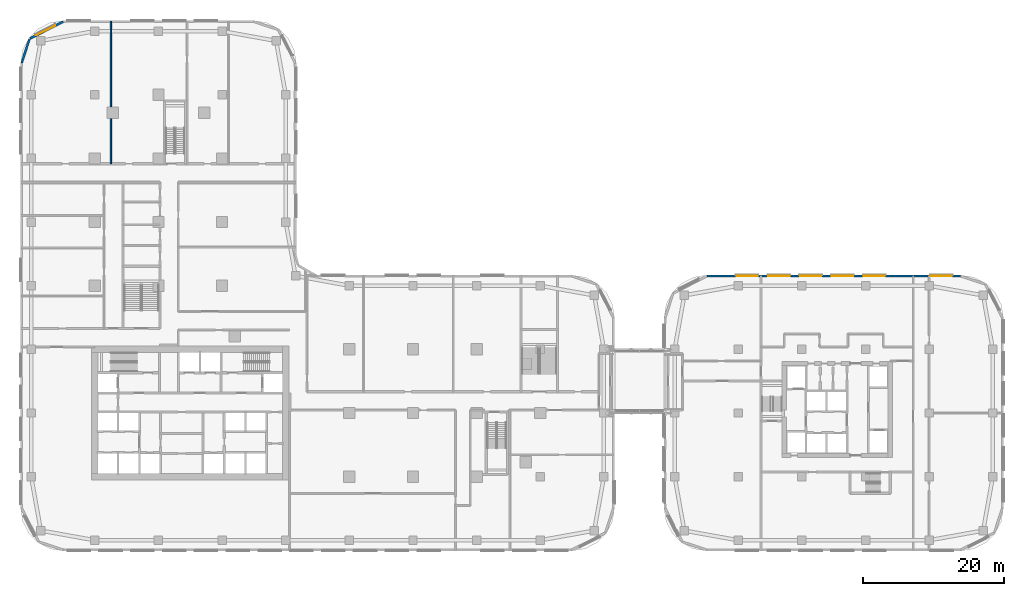
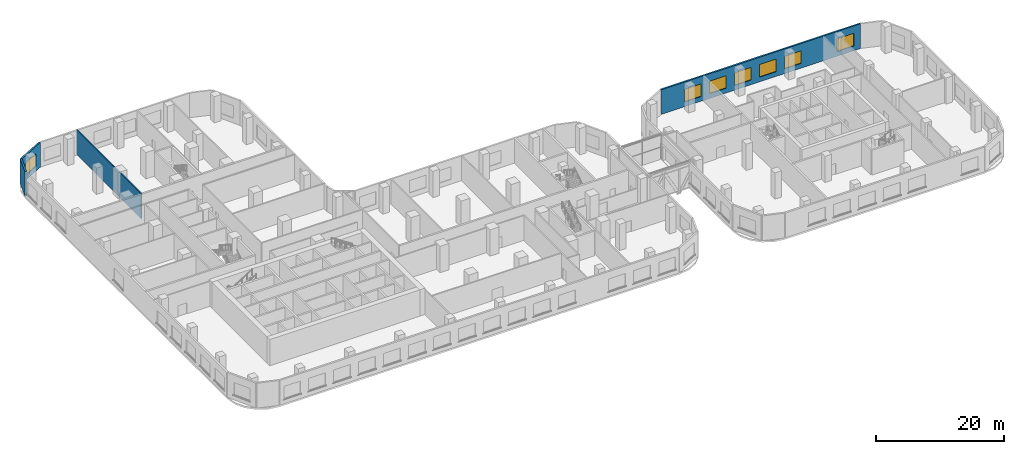
# One storey, part 14 of 35: 7 windows, 4 walls, 7 openings.
"""IFC4 building model written with IfcOpenShell, lengths in metres."""

from ifc_helpers import new_model, si_unit, direction, frame, frame_2d, origin, place, context, subcontext, project, spatial, rectangle, extrude, material, layer, layer_set, type_object, element, fill, save


model = new_model("IFC4")

# Units and contexts
model_context = context("Model", 3, precision=1e-05, world=origin(), true_north=direction((0.0, 1.0)))
body_context = subcontext(model_context, "Body", "Model", "MODEL_VIEW")
ifc_project = project(units=[si_unit("LENGTHUNIT", "METRE"), si_unit("AREAUNIT", "SQUARE_METRE"), si_unit("VOLUMEUNIT", "CUBIC_METRE"), si_unit("PLANEANGLEUNIT", "RADIAN"), si_unit("MASSUNIT", "GRAM", prefix="KILO")], contexts=[model_context])

# Site, building, storey
site_placement = place(None, origin())
site = spatial("IfcSite", under=ifc_project, at=site_placement, CompositionType="ELEMENT")
building_placement = place(site_placement, origin())
building = spatial("IfcBuilding", under=site, at=building_placement, Name="Ogive Portal Towers", CompositionType="ELEMENT")
storey_placement = place(building_placement, frame((0.0, 0.0, 23.5)))
storey = spatial("IfcBuildingStorey", under=building, at=storey_placement, Name="L04", CompositionType="ELEMENT", Elevation=23.5)

# Wall, opening, window
ifc_material_1 = material(Name="Limestone cladding on lightweight block wall", Category="masonry")
ifc_layer_1 = layer(ifc_material_1, 0.300048828125)
ifc_layer_set_1 = layer_set([ifc_layer_1], Name="EXTERNAL WALL 300 STONE")
wall_type_1 = type_object("IfcWallType", Name="EXTERNAL WALL 300 STONE", PredefinedType="SOLIDWALL", material=ifc_layer_set_1)
wall_1_placement = place(storey_placement, frame((27.00390625, 85.833740234375, 0.0), z_axis=(0.0, 0.0, 1.0), x_axis=(-0.890998339455, -0.454006562826, 0.0)))
wall_1 = element("IfcWall", 1, at=wall_1_placement, inside=storey, type_object=wall_type_1, Name="A:L04:f15:w0", PredefinedType="SOLIDWALL", context=body_context, shape_type="SweptSolid", body=[
    extrude(rectangle(XDim=5.251708984375, YDim=0.300048828125, at=frame_2d((2.6259765625, 0.0))), origin(), (0.0, 0.0, 1.0), 4.699951171875),
])
opening_1_placement = place(wall_1_placement, frame((1.223876953125, 0.0, 0.89990234375)))
opening_1 = element("IfcOpeningElement", 2, at=opening_1_placement, cuts=wall_1, Name="Opening WN3", PredefinedType="OPENING", context=body_context, shape_type="SweptSolid", body=[
    extrude(rectangle(XDim=3.0, YDim=2.39990234375, at=frame_2d((1.5, 1.199951171875))), frame((0.0, 0.16015625, 0.0), z_axis=(0.0, -1.0, 0.0), x_axis=(1.0, 0.0, 0.0)), (0.0, 0.0, 1.0), 0.320068359375),
])
ifc_material_2 = material(Name="Glass, clear low-iron insulated glazing", Category="glass")
window_type = type_object("IfcWindowType", Name="WINDOW PODIUM 3000x2400", PartitioningType="SINGLE_PANEL", PredefinedType="WINDOW", material=ifc_material_2)
window_1_placement = place(opening_1_placement, origin())
window_1 = element("IfcWindow", 3, at=window_1_placement, inside=storey, type_object=window_type, Name="A:L04:f15:w0:o0", OverallHeight=2.39990234375, OverallWidth=3.0, PartitioningType="SINGLE_PANEL", PredefinedType="WINDOW", context=body_context, shape_type="SweptSolid", body=[
    extrude(rectangle(XDim=3.0, YDim=2.39990234375, at=frame_2d((1.5, 1.199951171875))), frame((0.0, 0.030029296875, 0.0), z_axis=(0.0, -1.0, 0.0), x_axis=(1.0, 0.0, 0.0)), (0.0, 0.0, 1.0), 0.06005859375),
])
fill(opening_1, window_1)

# Wall
wall_2_placement = place(storey_placement, frame((22.250244140625, 83.362060546875, 0.0), z_axis=(0.0, 0.0, 1.0), x_axis=(-0.309073584194, -0.951038127287, 0.0)))
element("IfcWall", 4, at=wall_2_placement, inside=storey, type_object=wall_type_1, Name="A:L04:f16:w0", PredefinedType="SOLIDWALL", context=body_context, shape_type="SweptSolid", body=[
    extrude(rectangle(XDim=3.536376953125, YDim=0.300048828125, at=frame_2d((1.76806640625, 0.0))), origin(), (0.0, 0.0, 1.0), 4.699951171875),
])

# Wall, openings, windows
wall_3_placement = place(storey_placement, frame((153.952392578125, 49.85009765625, 0.0), z_axis=(0.0, 0.0, 1.0), x_axis=(-1.0, 0.0, 0.0)))
wall_3 = element("IfcWall", 5, at=wall_3_placement, inside=storey, type_object=wall_type_1, Name="B:L04:f08:w0", PredefinedType="SOLIDWALL", context=body_context, shape_type="SweptSolid", body=[
    extrude(rectangle(XDim=35.88037109375, YDim=0.300048828125, at=frame_2d((17.940185546875, 0.0))), origin(), (0.0, 0.0, 1.0), 4.699951171875),
])
opening_2_placement = place(wall_3_placement, frame((1.226318359375, 0.0, 0.89990234375)))
opening_2 = element("IfcOpeningElement", 6, at=opening_2_placement, cuts=wall_3, Name="Opening WN3", PredefinedType="OPENING", context=body_context, shape_type="SweptSolid", body=[
    extrude(rectangle(XDim=3.0, YDim=2.39990234375, at=frame_2d((1.5, 1.199951171875))), frame((0.0, 0.16015625, 0.0), z_axis=(0.0, -1.0, 0.0), x_axis=(1.0, 0.0, 0.0)), (0.0, 0.0, 1.0), 0.320068359375),
])
opening_3_placement = place(wall_3_placement, frame((10.702392578125, 0.0, 0.89990234375)))
opening_3 = element("IfcOpeningElement", 7, at=opening_3_placement, cuts=wall_3, Name="Opening WN3", PredefinedType="OPENING", context=body_context, shape_type="SweptSolid", body=[
    extrude(rectangle(XDim=3.0, YDim=2.39990234375, at=frame_2d((1.5, 1.199951171875))), frame((0.0, 0.16015625, 0.0), z_axis=(0.0, -1.0, 0.0), x_axis=(1.0, 0.0, 0.0)), (0.0, 0.0, 1.0), 0.320068359375),
])
opening_4_placement = place(wall_3_placement, frame((15.202392578125, 0.0, 0.89990234375)))
opening_4 = element("IfcOpeningElement", 8, at=opening_4_placement, cuts=wall_3, Name="Opening WN3", PredefinedType="OPENING", context=body_context, shape_type="SweptSolid", body=[
    extrude(rectangle(XDim=3.0, YDim=2.39990234375, at=frame_2d((1.5, 1.199951171875))), frame((0.0, 0.16015625, 0.0), z_axis=(0.0, -1.0, 0.0), x_axis=(1.0, 0.0, 0.0)), (0.0, 0.0, 1.0), 0.320068359375),
])
opening_5_placement = place(wall_3_placement, frame((19.702392578125, 0.0, 0.89990234375)))
opening_5 = element("IfcOpeningElement", 9, at=opening_5_placement, cuts=wall_3, Name="Opening WN3", PredefinedType="OPENING", context=body_context, shape_type="SweptSolid", body=[
    extrude(rectangle(XDim=3.0, YDim=2.39990234375, at=frame_2d((1.5, 1.199951171875))), frame((0.0, 0.16015625, 0.0), z_axis=(0.0, -1.0, 0.0), x_axis=(1.0, 0.0, 0.0)), (0.0, 0.0, 1.0), 0.320068359375),
])
opening_6_placement = place(wall_3_placement, frame((24.202392578125, 0.0, 0.89990234375)))
opening_6 = element("IfcOpeningElement", 10, at=opening_6_placement, cuts=wall_3, Name="Opening WN3", PredefinedType="OPENING", context=body_context, shape_type="SweptSolid", body=[
    extrude(rectangle(XDim=3.0, YDim=2.39990234375, at=frame_2d((1.5, 1.199951171875))), frame((0.0, 0.16015625, 0.0), z_axis=(0.0, -1.0, 0.0), x_axis=(1.0, 0.0, 0.0)), (0.0, 0.0, 1.0), 0.320068359375),
])
opening_7_placement = place(wall_3_placement, frame((28.702392578125, 0.0, 0.89990234375)))
opening_7 = element("IfcOpeningElement", 11, at=opening_7_placement, cuts=wall_3, Name="Opening WN3", PredefinedType="OPENING", context=body_context, shape_type="SweptSolid", body=[
    extrude(rectangle(XDim=3.0, YDim=2.39990234375, at=frame_2d((1.5, 1.199951171875))), frame((0.0, 0.16015625, 0.0), z_axis=(0.0, -1.0, 0.0), x_axis=(1.0, 0.0, 0.0)), (0.0, 0.0, 1.0), 0.320068359375),
])
window_2_placement = place(opening_2_placement, origin())
window_2 = element("IfcWindow", 12, at=window_2_placement, inside=storey, type_object=window_type, Name="B:L04:f08:w0:o0", OverallHeight=2.39990234375, OverallWidth=3.0, PartitioningType="SINGLE_PANEL", PredefinedType="WINDOW", context=body_context, shape_type="SweptSolid", body=[
    extrude(rectangle(XDim=3.0, YDim=2.39990234375, at=frame_2d((1.5, 1.199951171875))), frame((0.0, 0.030029296875, 0.0), z_axis=(0.0, -1.0, 0.0), x_axis=(1.0, 0.0, 0.0)), (0.0, 0.0, 1.0), 0.06005859375),
])
fill(opening_2, window_2)
window_3_placement = place(opening_3_placement, origin())
window_3 = element("IfcWindow", 13, at=window_3_placement, inside=storey, type_object=window_type, Name="B:L04:f08:w0:o1b", OverallHeight=2.39990234375, OverallWidth=3.0, PartitioningType="SINGLE_PANEL", PredefinedType="WINDOW", context=body_context, shape_type="SweptSolid", body=[
    extrude(rectangle(XDim=3.0, YDim=2.39990234375, at=frame_2d((1.5, 1.199951171875))), frame((0.0, 0.030029296875, 0.0), z_axis=(0.0, -1.0, 0.0), x_axis=(1.0, 0.0, 0.0)), (0.0, 0.0, 1.0), 0.06005859375),
])
fill(opening_3, window_3)
window_4_placement = place(opening_4_placement, origin())
window_4 = element("IfcWindow", 14, at=window_4_placement, inside=storey, type_object=window_type, Name="B:L04:f08:w0:o2a", OverallHeight=2.39990234375, OverallWidth=3.0, PartitioningType="SINGLE_PANEL", PredefinedType="WINDOW", context=body_context, shape_type="SweptSolid", body=[
    extrude(rectangle(XDim=3.0, YDim=2.39990234375, at=frame_2d((1.5, 1.199951171875))), frame((0.0, 0.030029296875, 0.0), z_axis=(0.0, -1.0, 0.0), x_axis=(1.0, 0.0, 0.0)), (0.0, 0.0, 1.0), 0.06005859375),
])
fill(opening_4, window_4)
window_5_placement = place(opening_5_placement, origin())
window_5 = element("IfcWindow", 15, at=window_5_placement, inside=storey, type_object=window_type, Name="B:L04:f08:w0:o2b", OverallHeight=2.39990234375, OverallWidth=3.0, PartitioningType="SINGLE_PANEL", PredefinedType="WINDOW", context=body_context, shape_type="SweptSolid", body=[
    extrude(rectangle(XDim=3.0, YDim=2.39990234375, at=frame_2d((1.5, 1.199951171875))), frame((0.0, 0.030029296875, 0.0), z_axis=(0.0, -1.0, 0.0), x_axis=(1.0, 0.0, 0.0)), (0.0, 0.0, 1.0), 0.06005859375),
])
fill(opening_5, window_5)
window_6_placement = place(opening_6_placement, origin())
window_6 = element("IfcWindow", 16, at=window_6_placement, inside=storey, type_object=window_type, Name="B:L04:f08:w0:o3a", OverallHeight=2.39990234375, OverallWidth=3.0, PartitioningType="SINGLE_PANEL", PredefinedType="WINDOW", context=body_context, shape_type="SweptSolid", body=[
    extrude(rectangle(XDim=3.0, YDim=2.39990234375, at=frame_2d((1.5, 1.199951171875))), frame((0.0, 0.030029296875, 0.0), z_axis=(0.0, -1.0, 0.0), x_axis=(1.0, 0.0, 0.0)), (0.0, 0.0, 1.0), 0.06005859375),
])
fill(opening_6, window_6)
window_7_placement = place(opening_7_placement, origin())
window_7 = element("IfcWindow", 17, at=window_7_placement, inside=storey, type_object=window_type, Name="B:L04:f08:w0:o3b", OverallHeight=2.39990234375, OverallWidth=3.0, PartitioningType="SINGLE_PANEL", PredefinedType="WINDOW", context=body_context, shape_type="SweptSolid", body=[
    extrude(rectangle(XDim=3.0, YDim=2.39990234375, at=frame_2d((1.5, 1.199951171875))), frame((0.0, 0.030029296875, 0.0), z_axis=(0.0, -1.0, 0.0), x_axis=(1.0, 0.0, 0.0)), (0.0, 0.0, 1.0), 0.06005859375),
])
fill(opening_7, window_7)

# Wall
ifc_material_3 = material(Name="Gypsum board partition on steel studs", Category="steel")
ifc_layer_2 = layer(ifc_material_3, 0.199951171875)
ifc_layer_set_2 = layer_set([ifc_layer_2], Name="WT-PART-200-EI 60")
wall_type_2 = type_object("IfcWallType", Name="WT-PART-200-EI 60", PredefinedType="PARTITIONING", material=ifc_layer_set_2)
wall_4_placement = place(storey_placement, frame((33.779052734375, 65.75, 0.0), z_axis=(0.0, 0.0, 1.0), x_axis=(0.0, 1.0, 0.0)))
element("IfcWall", 18, at=wall_4_placement, inside=storey, type_object=wall_type_2, Name="Wall L04:w082", PredefinedType="PARTITIONING", context=body_context, shape_type="SweptSolid", body=[
    extrude(rectangle(XDim=20.179931640625, YDim=0.199951171875, at=frame_2d((10.08984375, 0.0))), origin(), (0.0, 0.0, 1.0), 4.699951171875),
])

save(model, "model.ifc")
